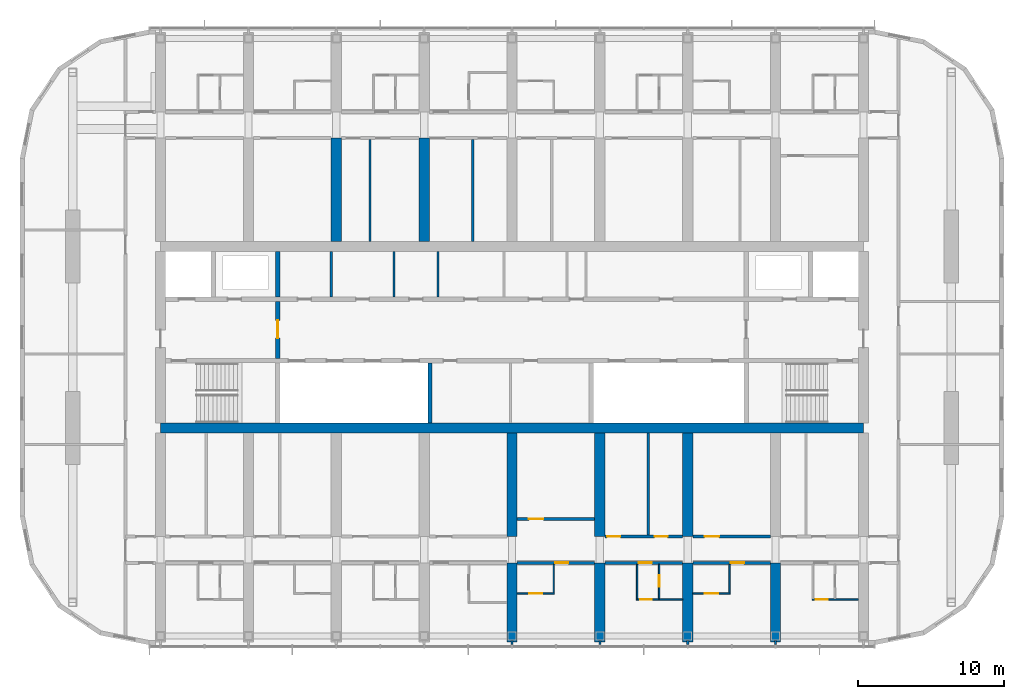
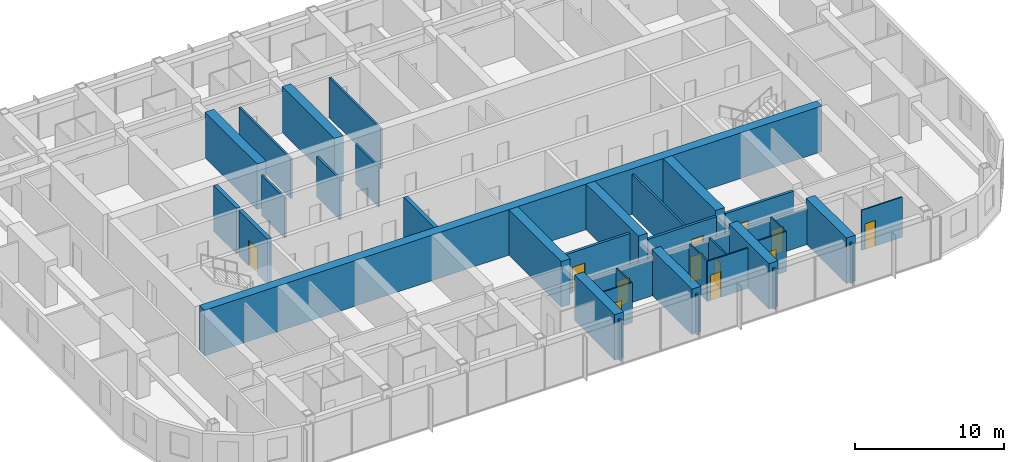
# One storey, part 12 of 23: 37 walls, 13 doors, 13 openings.
"""IFC4 building model written with IfcOpenShell, lengths in metres."""

from ifc_helpers import new_model, si_unit, direction, frame, frame_2d, origin, place, context, subcontext, project, spatial, polyline, rectangle, outline, extrude, material, layer, layer_set, type_object, element, fill, save


model = new_model("IFC4")

# Units and contexts
model_context = context("Model", 3, precision=1e-05, world=origin(), true_north=direction((0.0, 1.0)))
body_context = subcontext(model_context, "Body", "Model", "MODEL_VIEW")
ifc_project = project(units=[si_unit("LENGTHUNIT", "METRE"), si_unit("AREAUNIT", "SQUARE_METRE"), si_unit("VOLUMEUNIT", "CUBIC_METRE"), si_unit("PLANEANGLEUNIT", "RADIAN"), si_unit("MASSUNIT", "GRAM", prefix="KILO")], contexts=[model_context])

# Site, building, storey
site_placement = place(None, origin())
site = spatial("IfcSite", under=ifc_project, at=site_placement, CompositionType="ELEMENT")
building_placement = place(site_placement, origin())
building = spatial("IfcBuilding", under=site, at=building_placement, Name="Orbita Commons", CompositionType="ELEMENT")
storey_placement = place(building_placement, frame((0.0, 0.0, 227.800048828125)))
storey = spatial("IfcBuildingStorey", under=building, at=storey_placement, Name="L56", CompositionType="ELEMENT", Elevation=227.800048828125)

# Wall, opening, door
ifc_material_1 = material(Name="Concrete C50/60", Category="concrete")
ifc_layer_1 = layer(ifc_material_1, 0.300048828125)
ifc_layer_set_1 = layer_set([ifc_layer_1], Name="Concrete C50/60")
wall_type_1 = type_object("IfcWallType", Name="Core inner wall 300 C50/60", PredefinedType="SHEAR", material=ifc_layer_set_1)
wall_1_placement = place(storey_placement, frame((26.0, 30.550048828125, 0.0), z_axis=(0.0, 0.0, 1.0), x_axis=(0.0, 1.0, 0.0)))
wall_1 = element("IfcWall", 1, at=wall_1_placement, inside=storey, type_object=wall_type_1, Name="Firefighting lobby wall west L56", PredefinedType="SHEAR", context=body_context, shape_type="SweptSolid", body=[
    extrude(rectangle(XDim=3.89990234375, YDim=0.300048828125, at=frame_2d((1.949951171875, 0.0))), origin(), (0.0, 0.0, 1.0), 3.75),
])
opening_1_placement = place(wall_1_placement, frame((1.39990234375, 0.0, 0.0)))
opening_1 = element("IfcOpeningElement", 2, at=opening_1_placement, cuts=wall_1, Name="Opening D04", PredefinedType="OPENING", context=body_context, shape_type="SweptSolid", body=[
    extrude(rectangle(XDim=1.199951171875, YDim=2.10009765625, at=frame_2d((0.60009765625, 1.050048828125))), frame((0.0, 0.159912109375, 0.0), z_axis=(0.0, -1.0, 0.0), x_axis=(1.0, 0.0, 0.0)), (0.0, 0.0, 1.0), 0.320068359375),
])
ifc_material_2 = material(Name="Steel-faced fire door leaf", Category="steel")
door_type_1 = type_object("IfcDoorType", Name="Service door 20 min 1200x2100", OperationType="SINGLE_SWING_LEFT", PredefinedType="DOOR", material=ifc_material_2)
door_1_placement = place(opening_1_placement, origin())
door_1 = element("IfcDoor", 3, at=door_1_placement, inside=storey, type_object=door_type_1, Name="Lift lobby door west", OperationType="SINGLE_SWING_LEFT", OverallHeight=2.10009765625, OverallWidth=1.199951171875, PredefinedType="DOOR", context=body_context, shape_type="SweptSolid", body=[
    extrude(rectangle(XDim=1.199951171875, YDim=2.10009765625, at=frame_2d((0.60009765625, 1.050048828125))), frame((0.0, 0.02490234375, 0.0), z_axis=(0.0, -1.0, 0.0), x_axis=(1.0, 0.0, 0.0)), (0.0, 0.0, 1.0), 0.050048828125),
])
fill(opening_1, door_1)

# Walls
wall_2_placement = place(storey_placement, frame((26.0, 34.75, 0.0), z_axis=(0.0, 0.0, 1.0), x_axis=(0.0, 1.0, 0.0)))
element("IfcWall", 4, at=wall_2_placement, inside=storey, type_object=wall_type_1, Name="Riser wall west L56", PredefinedType="SHEAR", context=body_context, shape_type="SweptSolid", body=[
    extrude(rectangle(XDim=3.10009765625, YDim=0.300048828125, at=frame_2d((1.550048828125, 0.0))), origin(), (0.0, 0.0, 1.0), 3.75),
])
wall_3_placement = place(storey_placement, frame((36.39990234375, 26.14990234375, 0.0), z_axis=(0.0, 0.0, 1.0), x_axis=(0.0, 1.0, 0.0)))
element("IfcWall", 5, at=wall_3_placement, inside=storey, type_object=wall_type_1, Name="Hoistway division wall L56", PredefinedType="SHEAR", context=body_context, shape_type="SweptSolid", body=[
    extrude(rectangle(XDim=4.10009765625, YDim=0.300048828125, at=frame_2d((2.050048828125, 0.0))), origin(), (0.0, 0.0, 1.0), 3.75),
])
ifc_material_3 = material(Name="Concrete blockwork", Category="masonry")
ifc_layer_2 = layer(ifc_material_3, 0.14990234375)
ifc_layer_set_2 = layer_set([ifc_layer_2], Name="Concrete blockwork")
wall_type_2 = type_object("IfcWallType", Name="Core partition 150 blockwork", PredefinedType="SOLIDWALL", material=ifc_layer_set_2)
for number, where, z_axis, x_axis, name in (
    (6, (29.65087890625, 34.75, 0.0), (0.0, 0.0, 1.0), (0.0, 1.0, 0.0), "Core partition 150 blockwork L56"),
    (7, (33.9462890625, 34.75, 0.0), (0.0, 0.0, 1.0), (0.0, 1.0, 0.0), "Core partition 150 blockwork L56"),
    (8, (36.9462890625, 34.75, 0.0), (0.0, 0.0, 1.0), (0.0, 1.0, 0.0), "Core partition 150 blockwork L56"),
):
    element("IfcWall", number, at=place(storey_placement, frame(where, z_axis=z_axis, x_axis=x_axis)), inside=storey, type_object=wall_type_2, Name=name, PredefinedType="SOLIDWALL", context=body_context, shape_type="SweptSolid", body=[
        extrude(rectangle(XDim=3.10009765625, YDim=0.14990234375, at=frame_2d((1.550048828125, 0.0))), origin(), (0.0, 0.0, 1.0), 3.300048828125),
    ])
ifc_material_4 = material(Name="Concrete C50/60", Category="concrete")
ifc_layer_3 = layer(ifc_material_4, 0.699951171875)
ifc_layer_set_3 = layer_set([ifc_layer_3], Name="Concrete C50/60")
wall_type_3 = type_object("IfcWallType", Name="Core wall 700 C50/60", PredefinedType="SHEAR", material=ifc_layer_set_3)
wall_4_placement = place(storey_placement, frame((18.0, 25.800048828125, 0.0), z_axis=(0.0, 0.0, 1.0), x_axis=(1.0, 0.0, 0.0)))
element("IfcWall", 9, at=wall_4_placement, inside=storey, type_object=wall_type_3, Name="Core spine wall south L56", PredefinedType="SHEAR", context=body_context, shape_type="SweptSolid", body=[
    extrude(rectangle(XDim=48.0, YDim=0.699951171875, at=frame_2d((24.0, 0.0))), origin(), (0.0, 0.0, 1.0), 3.75),
])

# Wall, opening, door
ifc_material_5 = material(Name="Concrete blockwork", Category="masonry")
ifc_layer_4 = layer(ifc_material_5, 0.199951171875)
ifc_layer_set_4 = layer_set([ifc_layer_4], Name="Concrete blockwork")
wall_type_4 = type_object("IfcWallType", Name="Corridor wall 200 blockwork", PredefinedType="SOLIDWALL", material=ifc_layer_set_4)
wall_5_placement = place(storey_placement, frame((42.35009765625, 16.60009765625, 0.0), z_axis=(0.0, 0.0, 1.0), x_axis=(1.0, 0.0, 0.0)))
wall_5 = element("IfcWall", 10, at=wall_5_placement, inside=storey, type_object=wall_type_4, Name="Corridor wall 200 blockwork L56", PredefinedType="SOLIDWALL", context=body_context, shape_type="SweptSolid", body=[
    extrude(outline(polyline([(0.0, 0.0), (5.2998046875, 0.0), (5.300048828125, 2.89990234375), (0.0, 2.89990234375), (0.0, 0.0)])), frame((0.0, 0.10009765625, 0.0), z_axis=(0.0, -1.0, 0.0), x_axis=(1.0, 0.0, 0.0)), (0.0, 0.0, 1.0), 0.199951171875),
])
opening_2_placement = place(wall_5_placement, frame((2.60009765625, 0.0, 0.0)))
opening_2 = element("IfcOpeningElement", 11, at=opening_2_placement, cuts=wall_5, Name="Opening D11", PredefinedType="OPENING", context=body_context, shape_type="SweptSolid", body=[
    extrude(rectangle(XDim=0.89990234375, YDim=2.10009765625, at=frame_2d((0.449951171875, 1.050048828125))), frame((0.0, 0.10986328125, 0.0), z_axis=(0.0, -1.0, 0.0), x_axis=(1.0, 0.0, 0.0)), (0.0, 0.0, 1.0), 0.219970703125),
])
ifc_material_6 = material(Name="Steel-faced fire door leaf", Category="steel")
door_type_2 = type_object("IfcDoorType", Name="Corridor door 20 min 900x2100", OperationType="SINGLE_SWING_LEFT", PredefinedType="DOOR", material=ifc_material_6)
door_2_placement = place(opening_2_placement, origin())
door_2 = element("IfcDoor", 12, at=door_2_placement, inside=storey, type_object=door_type_2, Name="Studio apartment with kitchenette L56-S08 door", OperationType="SINGLE_SWING_LEFT", OverallHeight=2.10009765625, OverallWidth=0.89990234375, PredefinedType="DOOR", context=body_context, shape_type="SweptSolid", body=[
    extrude(rectangle(XDim=0.89990234375, YDim=2.10009765625, at=frame_2d((0.449951171875, 1.050048828125))), frame((0.0, 0.02490234375, 0.0), z_axis=(0.0, -1.0, 0.0), x_axis=(1.0, 0.0, 0.0)), (0.0, 0.0, 1.0), 0.050048828125),
])
fill(opening_2, door_2)

wall_6_placement = place(storey_placement, frame((48.35009765625, 16.60009765625, 0.0), z_axis=(0.0, 0.0, 1.0), x_axis=(1.0, 0.0, 0.0)))
wall_6 = element("IfcWall", 13, at=wall_6_placement, inside=storey, type_object=wall_type_4, Name="Corridor wall 200 blockwork L56", PredefinedType="SOLIDWALL", context=body_context, shape_type="SweptSolid", body=[
    extrude(outline(polyline([(0.0, 0.0), (5.2998046875, 0.0), (5.300048828125, 2.89990234375), (0.0, 2.89990234375), (0.0, 0.0)])), frame((0.0, 0.10009765625, 0.0), z_axis=(0.0, -1.0, 0.0), x_axis=(1.0, 0.0, 0.0)), (0.0, 0.0, 1.0), 0.199951171875),
])
opening_3_placement = place(wall_6_placement, frame((2.300048828125, 0.0, 0.0)))
opening_3 = element("IfcOpeningElement", 14, at=opening_3_placement, cuts=wall_6, Name="Opening D11", PredefinedType="OPENING", context=body_context, shape_type="SweptSolid", body=[
    extrude(rectangle(XDim=0.89990234375, YDim=2.10009765625, at=frame_2d((0.449951171875, 1.050048828125))), frame((0.0, 0.10986328125, 0.0), z_axis=(0.0, -1.0, 0.0), x_axis=(1.0, 0.0, 0.0)), (0.0, 0.0, 1.0), 0.219970703125),
])
door_3_placement = place(opening_3_placement, origin())
door_3 = element("IfcDoor", 15, at=door_3_placement, inside=storey, type_object=door_type_2, Name="Studio flat L56-S10 entrance door", OperationType="SINGLE_SWING_LEFT", OverallHeight=2.10009765625, OverallWidth=0.89990234375, PredefinedType="DOOR", context=body_context, shape_type="SweptSolid", body=[
    extrude(rectangle(XDim=0.89990234375, YDim=2.10009765625, at=frame_2d((0.449951171875, 1.050048828125))), frame((0.0, 0.02490234375, 0.0), z_axis=(0.0, -1.0, 0.0), x_axis=(1.0, 0.0, 0.0)), (0.0, 0.0, 1.0), 0.050048828125),
])
fill(opening_3, door_3)

wall_7_placement = place(storey_placement, frame((54.35009765625, 16.60009765625, 0.0), z_axis=(0.0, 0.0, 1.0), x_axis=(1.0, 0.0, 0.0)))
wall_7 = element("IfcWall", 16, at=wall_7_placement, inside=storey, type_object=wall_type_4, Name="Corridor wall 200 blockwork L56", PredefinedType="SOLIDWALL", context=body_context, shape_type="SweptSolid", body=[
    extrude(outline(polyline([(0.0, 0.0), (5.2998046875, 0.0), (5.300048828125, 2.89990234375), (0.0, 2.89990234375), (0.0, 0.0)])), frame((0.0, 0.10009765625, 0.0), z_axis=(0.0, -1.0, 0.0), x_axis=(1.0, 0.0, 0.0)), (0.0, 0.0, 1.0), 0.199951171875),
])
opening_4_placement = place(wall_7_placement, frame((2.60009765625, 0.0, 0.0)))
opening_4 = element("IfcOpeningElement", 17, at=opening_4_placement, cuts=wall_7, Name="Opening D11", PredefinedType="OPENING", context=body_context, shape_type="SweptSolid", body=[
    extrude(rectangle(XDim=0.89990234375, YDim=2.10009765625, at=frame_2d((0.449951171875, 1.050048828125))), frame((0.0, 0.10986328125, 0.0), z_axis=(0.0, -1.0, 0.0), x_axis=(1.0, 0.0, 0.0)), (0.0, 0.0, 1.0), 0.219970703125),
])
door_4_placement = place(opening_4_placement, origin())
door_4 = element("IfcDoor", 18, at=door_4_placement, inside=storey, type_object=door_type_2, Name="Studio apartment with kitchenette L56-S12 door", OperationType="SINGLE_SWING_LEFT", OverallHeight=2.10009765625, OverallWidth=0.89990234375, PredefinedType="DOOR", context=body_context, shape_type="SweptSolid", body=[
    extrude(rectangle(XDim=0.89990234375, YDim=2.10009765625, at=frame_2d((0.449951171875, 1.050048828125))), frame((0.0, 0.02490234375, 0.0), z_axis=(0.0, -1.0, 0.0), x_axis=(1.0, 0.0, 0.0)), (0.0, 0.0, 1.0), 0.050048828125),
])
fill(opening_4, door_4)

# Wall, openings, doors
ifc_material_7 = material(Name="Hollow concrete block 200", Category="concrete")
ifc_layer_5 = layer(ifc_material_7, 0.199951171875)
ifc_layer_set_5 = layer_set([ifc_layer_5], Name="Hollow concrete block 200")
wall_type_5 = type_object("IfcWallType", Name="Corridor wall 200 hollow concrete block", PredefinedType="SOLIDWALL", material=ifc_layer_set_5)
wall_8_placement = place(storey_placement, frame((48.35009765625, 18.39990234375, 0.0), z_axis=(0.0, 0.0, 1.0), x_axis=(1.0, 0.0, 0.0)))
wall_8 = element("IfcWall", 19, at=wall_8_placement, inside=storey, type_object=wall_type_5, Name="Corridor wall 200 hollow concrete block L56", PredefinedType="SOLIDWALL", context=body_context, shape_type="SweptSolid", body=[
    extrude(rectangle(XDim=5.2998046875, YDim=0.199951171875, at=frame_2d((2.64990234375, 0.0))), origin(), (0.0, 0.0, 1.0), 3.300048828125),
])
opening_5_placement = place(wall_8_placement, frame((0.14990234375, 0.0, 0.0)))
opening_5 = element("IfcOpeningElement", 20, at=opening_5_placement, cuts=wall_8, Name="Opening D11", PredefinedType="OPENING", context=body_context, shape_type="SweptSolid", body=[
    extrude(rectangle(XDim=0.89990234375, YDim=2.10009765625, at=frame_2d((0.449951171875, 1.050048828125))), frame((0.0, 0.10986328125, 0.0), z_axis=(0.0, -1.0, 0.0), x_axis=(1.0, 0.0, 0.0)), (0.0, 0.0, 1.0), 0.219970703125),
])
opening_6_placement = place(wall_8_placement, frame((3.385009765625, 0.0, 0.0)))
opening_6 = element("IfcOpeningElement", 21, at=opening_6_placement, cuts=wall_8, Name="Opening D11", PredefinedType="OPENING", context=body_context, shape_type="SweptSolid", body=[
    extrude(rectangle(XDim=0.89990234375, YDim=2.10009765625, at=frame_2d((0.449951171875, 1.050048828125))), frame((0.0, 0.10986328125, 0.0), z_axis=(0.0, -1.0, 0.0), x_axis=(1.0, 0.0, 0.0)), (0.0, 0.0, 1.0), 0.219970703125),
])
door_5_placement = place(opening_5_placement, origin())
door_5 = element("IfcDoor", 22, at=door_5_placement, inside=storey, type_object=door_type_2, Name="Cleaners store L56-BDS48 door", OperationType="SINGLE_SWING_LEFT", OverallHeight=2.10009765625, OverallWidth=0.89990234375, PredefinedType="DOOR", context=body_context, shape_type="SweptSolid", body=[
    extrude(rectangle(XDim=0.89990234375, YDim=2.10009765625, at=frame_2d((0.449951171875, 1.050048828125))), frame((0.0, 0.02490234375, 0.0), z_axis=(0.0, -1.0, 0.0), x_axis=(1.0, 0.0, 0.0)), (0.0, 0.0, 1.0), 0.050048828125),
])
fill(opening_5, door_5)
door_6_placement = place(opening_6_placement, origin())
door_6 = element("IfcDoor", 23, at=door_6_placement, inside=storey, type_object=door_type_2, Name="Water heater cupboard L56-BDS48n door", OperationType="SINGLE_SWING_LEFT", OverallHeight=2.10009765625, OverallWidth=0.89990234375, PredefinedType="DOOR", context=body_context, shape_type="SweptSolid", body=[
    extrude(rectangle(XDim=0.89990234375, YDim=2.10009765625, at=frame_2d((0.449951171875, 1.050048828125))), frame((0.0, 0.02490234375, 0.0), z_axis=(0.0, -1.0, 0.0), x_axis=(1.0, 0.0, 0.0)), (0.0, 0.0, 1.0), 0.050048828125),
])
fill(opening_6, door_6)

# Wall, opening, door
wall_9_placement = place(storey_placement, frame((54.35009765625, 18.39990234375, 0.0), z_axis=(0.0, 0.0, 1.0), x_axis=(1.0, 0.0, 0.0)))
wall_9 = element("IfcWall", 24, at=wall_9_placement, inside=storey, type_object=wall_type_5, Name="Corridor wall 200 hollow concrete block L56", PredefinedType="SOLIDWALL", context=body_context, shape_type="SweptSolid", body=[
    extrude(rectangle(XDim=5.2998046875, YDim=0.199951171875, at=frame_2d((2.64990234375, 0.0))), origin(), (0.0, 0.0, 1.0), 3.300048828125),
])
opening_7_placement = place(wall_9_placement, frame((0.800048828125, 0.0, 0.0)))
opening_7 = element("IfcOpeningElement", 25, at=opening_7_placement, cuts=wall_9, Name="Opening D06", PredefinedType="OPENING", context=body_context, shape_type="SweptSolid", body=[
    extrude(rectangle(XDim=1.0, YDim=2.10009765625, at=frame_2d((0.5, 1.050048828125))), frame((0.0, 0.10986328125, 0.0), z_axis=(0.0, -1.0, 0.0), x_axis=(1.0, 0.0, 0.0)), (0.0, 0.0, 1.0), 0.219970703125),
])
ifc_material_8 = material(Name="Steel-faced fire door leaf", Category="steel")
door_type_3 = type_object("IfcDoorType", Name="Corridor door 20 min 1000x2100", OperationType="SINGLE_SWING_LEFT", PredefinedType="DOOR", material=ifc_material_8)
door_7_placement = place(opening_7_placement, origin())
door_7 = element("IfcDoor", 26, at=door_7_placement, inside=storey, type_object=door_type_3, Name="Ventilation plant room south L56-BDS54 door", OperationType="SINGLE_SWING_LEFT", OverallHeight=2.10009765625, OverallWidth=1.0, PredefinedType="DOOR", context=body_context, shape_type="SweptSolid", body=[
    extrude(rectangle(XDim=1.0, YDim=2.10009765625, at=frame_2d((0.5, 1.050048828125))), frame((0.0, 0.02490234375, 0.0), z_axis=(0.0, -1.0, 0.0), x_axis=(1.0, 0.0, 0.0)), (0.0, 0.0, 1.0), 0.050048828125),
])
fill(opening_7, door_7)

wall_10_placement = place(storey_placement, frame((42.35009765625, 19.60009765625, 0.0), z_axis=(0.0, 0.0, 1.0), x_axis=(1.0, 0.0, 0.0)))
wall_10 = element("IfcWall", 27, at=wall_10_placement, inside=storey, type_object=wall_type_5, Name="Corridor wall 200 hollow concrete block L56", PredefinedType="SOLIDWALL", context=body_context, shape_type="SweptSolid", body=[
    extrude(rectangle(XDim=5.2998046875, YDim=0.199951171875, at=frame_2d((2.64990234375, 0.0))), origin(), (0.0, 0.0, 1.0), 3.300048828125),
])
opening_8_placement = place(wall_10_placement, frame((0.800048828125, 0.0, 0.0)))
opening_8 = element("IfcOpeningElement", 28, at=opening_8_placement, cuts=wall_10, Name="Opening D06", PredefinedType="OPENING", context=body_context, shape_type="SweptSolid", body=[
    extrude(rectangle(XDim=1.0, YDim=2.10009765625, at=frame_2d((0.5, 1.050048828125))), frame((0.0, 0.10986328125, 0.0), z_axis=(0.0, -1.0, 0.0), x_axis=(1.0, 0.0, 0.0)), (0.0, 0.0, 1.0), 0.219970703125),
])
door_8_placement = place(opening_8_placement, origin())
door_8 = element("IfcDoor", 29, at=door_8_placement, inside=storey, type_object=door_type_3, Name="Meeting room L56-BDS42 door", OperationType="SINGLE_SWING_LEFT", OverallHeight=2.10009765625, OverallWidth=1.0, PredefinedType="DOOR", context=body_context, shape_type="SweptSolid", body=[
    extrude(rectangle(XDim=1.0, YDim=2.10009765625, at=frame_2d((0.5, 1.050048828125))), frame((0.0, 0.02490234375, 0.0), z_axis=(0.0, -1.0, 0.0), x_axis=(1.0, 0.0, 0.0)), (0.0, 0.0, 1.0), 0.050048828125),
])
fill(opening_8, door_8)

# Walls
ifc_material_9 = material(Name="Concrete C50/60", Category="concrete")
ifc_layer_6 = layer(ifc_material_9, 0.699951171875)
ifc_layer_set_6 = layer_set([ifc_layer_6], Name="Concrete C50/60")
wall_type_6 = type_object("IfcWallType", Name="Cross wall 700 C50/60", PredefinedType="SHEAR", material=ifc_layer_set_6)
for number, where, z_axis, x_axis, name in (
    (30, (30.0, 38.550048828125, 0.0), (0.0, 0.0, 1.0), (0.0, 1.0, 0.0), "Cross wall 6 north inner L56"),
    (31, (36.0, 38.550048828125, 0.0), (0.0, 0.0, 1.0), (0.0, 1.0, 0.0), "Cross wall 7 north inner L56"),
):
    element("IfcWall", number, at=place(storey_placement, frame(where, z_axis=z_axis, x_axis=x_axis)), inside=storey, type_object=wall_type_6, Name=name, PredefinedType="SHEAR", context=body_context, shape_type="SweptSolid", body=[
        extrude(rectangle(XDim=7.050048828125, YDim=0.699951171875, at=frame_2d((3.52490234375, 0.0))), origin(), (0.0, 0.0, 1.0), 3.75),
    ])
wall_11_placement = place(storey_placement, frame((42.0, 11.199951171875, 0.0), z_axis=(0.0, 0.0, 1.0), x_axis=(0.0, 1.0, 0.0)))
element("IfcWall", 32, at=wall_11_placement, inside=storey, type_object=wall_type_6, Name="Cross wall 8 south outer L56", PredefinedType="SHEAR", context=body_context, shape_type="SweptSolid", body=[
    extrude(rectangle(XDim=5.400146484375, YDim=0.699951171875, at=frame_2d((2.7001953125, 0.0))), origin(), (0.0, 0.0, 1.0), 3.75),
])
wall_12_placement = place(storey_placement, frame((42.0, 18.39990234375, 0.0), z_axis=(0.0, 0.0, 1.0), x_axis=(0.0, 1.0, 0.0)))
element("IfcWall", 33, at=wall_12_placement, inside=storey, type_object=wall_type_6, Name="Cross wall 8 south inner L56", PredefinedType="SHEAR", context=body_context, shape_type="SweptSolid", body=[
    extrude(rectangle(XDim=7.050048828125, YDim=0.699951171875, at=frame_2d((3.52490234375, 0.0))), origin(), (0.0, 0.0, 1.0), 3.75),
])
wall_13_placement = place(storey_placement, frame((48.0, 11.199951171875, 0.0), z_axis=(0.0, 0.0, 1.0), x_axis=(0.0, 1.0, 0.0)))
element("IfcWall", 34, at=wall_13_placement, inside=storey, type_object=wall_type_6, Name="Cross wall 9 south outer L56", PredefinedType="SHEAR", context=body_context, shape_type="SweptSolid", body=[
    extrude(rectangle(XDim=5.400146484375, YDim=0.699951171875, at=frame_2d((2.7001953125, 0.0))), origin(), (0.0, 0.0, 1.0), 3.75),
])
wall_14_placement = place(storey_placement, frame((48.0, 18.39990234375, 0.0), z_axis=(0.0, 0.0, 1.0), x_axis=(0.0, 1.0, 0.0)))
element("IfcWall", 35, at=wall_14_placement, inside=storey, type_object=wall_type_6, Name="Cross wall 9 south inner L56", PredefinedType="SHEAR", context=body_context, shape_type="SweptSolid", body=[
    extrude(rectangle(XDim=7.050048828125, YDim=0.699951171875, at=frame_2d((3.52490234375, 0.0))), origin(), (0.0, 0.0, 1.0), 3.75),
])
wall_15_placement = place(storey_placement, frame((54.0, 11.199951171875, 0.0), z_axis=(0.0, 0.0, 1.0), x_axis=(0.0, 1.0, 0.0)))
element("IfcWall", 36, at=wall_15_placement, inside=storey, type_object=wall_type_6, Name="Cross wall 10 south outer L56", PredefinedType="SHEAR", context=body_context, shape_type="SweptSolid", body=[
    extrude(rectangle(XDim=5.400146484375, YDim=0.699951171875, at=frame_2d((2.7001953125, 0.0))), origin(), (0.0, 0.0, 1.0), 3.75),
])
wall_16_placement = place(storey_placement, frame((54.0, 18.39990234375, 0.0), z_axis=(0.0, 0.0, 1.0), x_axis=(0.0, 1.0, 0.0)))
element("IfcWall", 37, at=wall_16_placement, inside=storey, type_object=wall_type_6, Name="Cross wall 10 south inner L56", PredefinedType="SHEAR", context=body_context, shape_type="SweptSolid", body=[
    extrude(rectangle(XDim=7.050048828125, YDim=0.699951171875, at=frame_2d((3.52490234375, 0.0))), origin(), (0.0, 0.0, 1.0), 3.75),
])
wall_17_placement = place(storey_placement, frame((60.0, 11.199951171875, 0.0), z_axis=(0.0, 0.0, 1.0), x_axis=(0.0, 1.0, 0.0)))
element("IfcWall", 38, at=wall_17_placement, inside=storey, type_object=wall_type_6, Name="Cross wall 11 south outer L56", PredefinedType="SHEAR", context=body_context, shape_type="SweptSolid", body=[
    extrude(rectangle(XDim=5.400146484375, YDim=0.699951171875, at=frame_2d((2.7001953125, 0.0))), origin(), (0.0, 0.0, 1.0), 3.75),
])

# Wall, opening, door
ifc_material_10 = material(Name="Moisture-resistant plasterboard on steel studs", Category="steel")
ifc_layer_7 = layer(ifc_material_10, 0.10009765625)
ifc_layer_set_7 = layer_set([ifc_layer_7], Name="Moisture-resistant plasterboard on steel studs")
wall_type_7 = type_object("IfcWallType", Name="En-suite partition 100", PredefinedType="PARTITIONING", material=ifc_layer_set_7)
wall_18_placement = place(storey_placement, frame((44.89990234375, 14.5, 0.0), z_axis=(0.0, 0.0, 1.0), x_axis=(-1.0, 0.0, 0.0)))
wall_18 = element("IfcWall", 39, at=wall_18_placement, inside=storey, type_object=wall_type_7, Name="En-suite partition 100 L56", PredefinedType="PARTITIONING", context=body_context, shape_type="SweptSolid", body=[
    extrude(rectangle(XDim=2.5498046875, YDim=0.10009765625, at=frame_2d((1.27490234375, 0.0))), origin(), (0.0, 0.0, 1.0), 3.300048828125),
])
opening_9_placement = place(wall_18_placement, frame((0.824951171875, 0.0, 0.0)))
opening_9 = element("IfcOpeningElement", 40, at=opening_9_placement, cuts=wall_18, Name="Opening D09", PredefinedType="OPENING", context=body_context, shape_type="SweptSolid", body=[
    extrude(rectangle(XDim=0.89990234375, YDim=2.10009765625, at=frame_2d((0.449951171875, 1.050048828125))), frame((0.0, 0.06005859375, 0.0), z_axis=(0.0, -1.0, 0.0), x_axis=(1.0, 0.0, 0.0)), (0.0, 0.0, 1.0), 0.1201171875),
])
ifc_material_11 = material(Name="Laminated timber door leaf", Category="wood")
door_type_4 = type_object("IfcDoorType", Name="En-suite door 900x2100", OperationType="SINGLE_SWING_RIGHT", PredefinedType="DOOR", material=ifc_material_11)
door_9_placement = place(opening_9_placement, origin())
door_9 = element("IfcDoor", 41, at=door_9_placement, inside=storey, type_object=door_type_4, Name="En-suite L56-S08 door", OperationType="SINGLE_SWING_RIGHT", OverallHeight=2.10009765625, OverallWidth=0.89990234375, PredefinedType="DOOR", context=body_context, shape_type="SweptSolid", body=[
    extrude(rectangle(XDim=0.89990234375, YDim=2.10009765625, at=frame_2d((0.449951171875, 1.050048828125))), frame((0.0, 0.02490234375, 0.0), z_axis=(0.0, -1.0, 0.0), x_axis=(1.0, 0.0, 0.0)), (0.0, 0.0, 1.0), 0.050048828125),
])
fill(opening_9, door_9)

# Wall
wall_19_placement = place(storey_placement, frame((44.85009765625, 14.550048828125, 0.0), z_axis=(0.0, 0.0, 1.0), x_axis=(0.0, 1.0, 0.0)))
element("IfcWall", 42, at=wall_19_placement, inside=storey, type_object=wall_type_7, Name="En-suite partition 100 L56", PredefinedType="PARTITIONING", context=body_context, shape_type="SweptSolid", body=[
    extrude(outline(polyline([(0.0, 0.0), (1.949951171875, 0.0), (1.949951171875, 2.89990234375), (1.902099609375, 2.89990234375), (1.89990234375, 3.300048828125), (0.0, 3.300048828125), (0.0, 0.0)])), frame((0.0, 0.050048828125, 0.0), z_axis=(0.0, -1.0, 0.0), x_axis=(1.0, 0.0, 0.0)), (0.0, 0.0, 1.0), 0.10009765625),
])

# Wall, opening, door
wall_20_placement = place(storey_placement, frame((53.64990234375, 14.10009765625, 0.0), z_axis=(0.0, 0.0, 1.0), x_axis=(-1.0, 0.0, 0.0)))
wall_20 = element("IfcWall", 43, at=wall_20_placement, inside=storey, type_object=wall_type_7, Name="En-suite partition 100 L56", PredefinedType="PARTITIONING", context=body_context, shape_type="SweptSolid", body=[
    extrude(rectangle(XDim=3.14990234375, YDim=0.10009765625, at=frame_2d((1.574951171875, 0.0))), origin(), (0.0, 0.0, 1.0), 3.300048828125),
])
opening_10_placement = place(wall_20_placement, frame((2.10009765625, 0.0, 0.0)))
opening_10 = element("IfcOpeningElement", 44, at=opening_10_placement, cuts=wall_20, Name="Opening D16", PredefinedType="OPENING", context=body_context, shape_type="SweptSolid", body=[
    extrude(rectangle(XDim=0.800048828125, YDim=2.10009765625, at=frame_2d((0.39990234375, 1.050048828125))), frame((0.0, 0.06005859375, 0.0), z_axis=(0.0, -1.0, 0.0), x_axis=(1.0, 0.0, 0.0)), (0.0, 0.0, 1.0), 0.1201171875),
])
ifc_material_12 = material(Name="Laminated timber door leaf", Category="wood")
door_type_5 = type_object("IfcDoorType", Name="En-suite door 800x2100", OperationType="SINGLE_SWING_RIGHT", PredefinedType="DOOR", material=ifc_material_12)
door_10_placement = place(opening_10_placement, origin())
door_10 = element("IfcDoor", 45, at=door_10_placement, inside=storey, type_object=door_type_5, Name="Studio flat L56-S10 door", OperationType="SINGLE_SWING_RIGHT", OverallHeight=2.10009765625, OverallWidth=0.800048828125, PredefinedType="DOOR", context=body_context, shape_type="SweptSolid", body=[
    extrude(rectangle(XDim=0.800048828125, YDim=2.10009765625, at=frame_2d((0.39990234375, 1.050048828125))), frame((0.0, 0.02490234375, 0.0), z_axis=(0.0, -1.0, 0.0), x_axis=(1.0, 0.0, 0.0)), (0.0, 0.0, 1.0), 0.050048828125),
])
fill(opening_10, door_10)

# Wall
wall_21_placement = place(storey_placement, frame((50.550048828125, 14.14990234375, 0.0), z_axis=(0.0, 0.0, 1.0), x_axis=(0.0, 1.0, 0.0)))
element("IfcWall", 46, at=wall_21_placement, inside=storey, type_object=wall_type_7, Name="En-suite partition 100 L56", PredefinedType="PARTITIONING", context=body_context, shape_type="SweptSolid", body=[
    extrude(outline(polyline([(0.0, 0.0), (2.35009765625, 0.0), (2.35009765625, 2.89990234375), (2.302001953125, 2.89990234375), (2.300048828125, 3.300048828125), (0.0, 3.300048828125), (0.0, 0.0)])), frame((0.0, 0.050048828125, 0.0), z_axis=(0.0, -1.0, 0.0), x_axis=(1.0, 0.0, 0.0)), (0.0, 0.0, 1.0), 0.10009765625),
])

# Wall, opening, door
wall_22_placement = place(storey_placement, frame((52.050048828125, 14.14990234375, 0.0), z_axis=(0.0, 0.0, 1.0), x_axis=(0.0, 1.0, 0.0)))
wall_22 = element("IfcWall", 47, at=wall_22_placement, inside=storey, type_object=wall_type_7, Name="En-suite partition 100 L56", PredefinedType="PARTITIONING", context=body_context, shape_type="SweptSolid", body=[
    extrude(outline(polyline([(0.0, 0.0), (2.35009765625, 0.0), (2.35009765625, 2.89990234375), (2.302001953125, 2.89990234375), (2.300048828125, 3.300048828125), (0.0, 3.300048828125), (0.0, 0.0)])), frame((0.0, 0.050048828125, 0.0), z_axis=(0.0, -1.0, 0.0), x_axis=(1.0, 0.0, 0.0)), (0.0, 0.0, 1.0), 0.10009765625),
])
opening_11_placement = place(wall_22_placement, frame((0.800048828125, 0.0, 0.0)))
opening_11 = element("IfcOpeningElement", 48, at=opening_11_placement, cuts=wall_22, Name="Opening D16", PredefinedType="OPENING", context=body_context, shape_type="SweptSolid", body=[
    extrude(rectangle(XDim=0.800048828125, YDim=2.10009765625, at=frame_2d((0.39990234375, 1.050048828125))), frame((0.0, 0.06005859375, 0.0), z_axis=(0.0, -1.0, 0.0), x_axis=(1.0, 0.0, 0.0)), (0.0, 0.0, 1.0), 0.1201171875),
])
door_11_placement = place(opening_11_placement, origin())
door_11 = element("IfcDoor", 49, at=door_11_placement, inside=storey, type_object=door_type_5, Name="Studio flat shower room L56-S10 door", OperationType="SINGLE_SWING_RIGHT", OverallHeight=2.10009765625, OverallWidth=0.800048828125, PredefinedType="DOOR", context=body_context, shape_type="SweptSolid", body=[
    extrude(rectangle(XDim=0.800048828125, YDim=2.10009765625, at=frame_2d((0.39990234375, 1.050048828125))), frame((0.0, 0.02490234375, 0.0), z_axis=(0.0, -1.0, 0.0), x_axis=(1.0, 0.0, 0.0)), (0.0, 0.0, 1.0), 0.050048828125),
])
fill(opening_11, door_11)

wall_23_placement = place(storey_placement, frame((56.89990234375, 14.5, 0.0), z_axis=(0.0, 0.0, 1.0), x_axis=(-1.0, 0.0, 0.0)))
wall_23 = element("IfcWall", 50, at=wall_23_placement, inside=storey, type_object=wall_type_7, Name="En-suite partition 100 L56", PredefinedType="PARTITIONING", context=body_context, shape_type="SweptSolid", body=[
    extrude(rectangle(XDim=2.5498046875, YDim=0.10009765625, at=frame_2d((1.27490234375, 0.0))), origin(), (0.0, 0.0, 1.0), 3.300048828125),
])
opening_12_placement = place(wall_23_placement, frame((0.824951171875, 0.0, 0.0)))
opening_12 = element("IfcOpeningElement", 51, at=opening_12_placement, cuts=wall_23, Name="Opening D09", PredefinedType="OPENING", context=body_context, shape_type="SweptSolid", body=[
    extrude(rectangle(XDim=0.89990234375, YDim=2.10009765625, at=frame_2d((0.449951171875, 1.050048828125))), frame((0.0, 0.06005859375, 0.0), z_axis=(0.0, -1.0, 0.0), x_axis=(1.0, 0.0, 0.0)), (0.0, 0.0, 1.0), 0.1201171875),
])
door_12_placement = place(opening_12_placement, origin())
door_12 = element("IfcDoor", 52, at=door_12_placement, inside=storey, type_object=door_type_4, Name="En-suite L56-S12 door", OperationType="SINGLE_SWING_RIGHT", OverallHeight=2.10009765625, OverallWidth=0.89990234375, PredefinedType="DOOR", context=body_context, shape_type="SweptSolid", body=[
    extrude(rectangle(XDim=0.89990234375, YDim=2.10009765625, at=frame_2d((0.449951171875, 1.050048828125))), frame((0.0, 0.02490234375, 0.0), z_axis=(0.0, -1.0, 0.0), x_axis=(1.0, 0.0, 0.0)), (0.0, 0.0, 1.0), 0.050048828125),
])
fill(opening_12, door_12)

# Wall
wall_24_placement = place(storey_placement, frame((56.85009765625, 14.550048828125, 0.0), z_axis=(0.0, 0.0, 1.0), x_axis=(0.0, 1.0, 0.0)))
element("IfcWall", 53, at=wall_24_placement, inside=storey, type_object=wall_type_7, Name="En-suite partition 100 L56", PredefinedType="PARTITIONING", context=body_context, shape_type="SweptSolid", body=[
    extrude(outline(polyline([(0.0, 0.0), (1.949951171875, 0.0), (1.949951171875, 2.89990234375), (1.902099609375, 2.89990234375), (1.89990234375, 3.300048828125), (0.0, 3.300048828125), (0.0, 0.0)])), frame((0.0, 0.050048828125, 0.0), z_axis=(0.0, -1.0, 0.0), x_axis=(1.0, 0.0, 0.0)), (0.0, 0.0, 1.0), 0.10009765625),
])

# Wall, opening, door
wall_25_placement = place(storey_placement, frame((65.64990234375, 14.10009765625, 0.0), z_axis=(0.0, 0.0, 1.0), x_axis=(-1.0, 0.0, 0.0)))
wall_25 = element("IfcWall", 54, at=wall_25_placement, inside=storey, type_object=wall_type_7, Name="En-suite partition 100 L56", PredefinedType="PARTITIONING", context=body_context, shape_type="SweptSolid", body=[
    extrude(rectangle(XDim=3.14990234375, YDim=0.10009765625, at=frame_2d((1.574951171875, 0.0))), origin(), (0.0, 0.0, 1.0), 3.300048828125),
])
opening_13_placement = place(wall_25_placement, frame((2.10009765625, 0.0, 0.0)))
opening_13 = element("IfcOpeningElement", 55, at=opening_13_placement, cuts=wall_25, Name="Opening D16", PredefinedType="OPENING", context=body_context, shape_type="SweptSolid", body=[
    extrude(rectangle(XDim=0.800048828125, YDim=2.10009765625, at=frame_2d((0.39990234375, 1.050048828125))), frame((0.0, 0.06005859375, 0.0), z_axis=(0.0, -1.0, 0.0), x_axis=(1.0, 0.0, 0.0)), (0.0, 0.0, 1.0), 0.1201171875),
])
door_13_placement = place(opening_13_placement, origin())
door_13 = element("IfcDoor", 56, at=door_13_placement, inside=storey, type_object=door_type_5, Name="Studio flat L56-S14 door", OperationType="SINGLE_SWING_RIGHT", OverallHeight=2.10009765625, OverallWidth=0.800048828125, PredefinedType="DOOR", context=body_context, shape_type="SweptSolid", body=[
    extrude(rectangle(XDim=0.800048828125, YDim=2.10009765625, at=frame_2d((0.39990234375, 1.050048828125))), frame((0.0, 0.02490234375, 0.0), z_axis=(0.0, -1.0, 0.0), x_axis=(1.0, 0.0, 0.0)), (0.0, 0.0, 1.0), 0.050048828125),
])
fill(opening_13, door_13)

# Walls
ifc_material_13 = material(Name="Gypsum plasterboard on steel studs", Category="steel")
ifc_layer_8 = layer(ifc_material_13, 0.14990234375)
ifc_layer_set_8 = layer_set([ifc_layer_8], Name="Gypsum plasterboard on steel studs")
wall_type_8 = type_object("IfcWallType", Name="Partition 150 plasterboard", PredefinedType="PARTITIONING", material=ifc_layer_set_8)
for number, where, z_axis, x_axis, name in (
    (57, (51.31005859375, 18.5, 0.0), (0.0, 0.0, 1.0), (0.0, 1.0, 0.0), "Partition 150 plasterboard L56"),
    (58, (32.31005859375, 38.550048828125, 0.0), (0.0, 0.0, 1.0), (0.0, 1.0, 0.0), "Partition 150 plasterboard L56"),
    (59, (39.320068359375, 38.550048828125, 0.0), (0.0, 0.0, 1.0), (0.0, 1.0, 0.0), "Partition 150 plasterboard L56"),
):
    element("IfcWall", number, at=place(storey_placement, frame(where, z_axis=z_axis, x_axis=x_axis)), inside=storey, type_object=wall_type_8, Name=name, PredefinedType="PARTITIONING", context=body_context, shape_type="SweptSolid", body=[
        extrude(rectangle(XDim=6.949951171875, YDim=0.14990234375, at=frame_2d((3.47509765625, 0.0))), origin(), (0.0, 0.0, 1.0), 3.300048828125),
    ])
for number, where, z_axis, x_axis, name in (
    (60, (42.0, 11.300048828125, 0.0), (0.0, 0.0, 1.0), (0.0, -1.0, 0.0), "Partition 150 plasterboard L56"),
    (61, (48.0, 11.300048828125, 0.0), (0.0, 0.0, 1.0), (0.0, -1.0, 0.0), "Partition 150 plasterboard L56"),
    (62, (54.0, 11.300048828125, 0.0), (0.0, 0.0, 1.0), (0.0, -1.0, 0.0), "Partition 150 plasterboard L56"),
    (63, (60.0, 11.300048828125, 0.0), (0.0, 0.0, 1.0), (0.0, -1.0, 0.0), "Partition 150 plasterboard L56"),
):
    element("IfcWall", number, at=place(storey_placement, frame(where, z_axis=z_axis, x_axis=x_axis)), inside=storey, type_object=wall_type_8, Name=name, PredefinedType="PARTITIONING", context=body_context, shape_type="SweptSolid", body=[
        extrude(rectangle(XDim=0.2900390625, YDim=0.14990234375, at=frame_2d((0.14501953125, 0.0))), origin(), (0.0, 0.0, 1.0), 3.300048828125),
    ])

save(model, "model.ifc")
